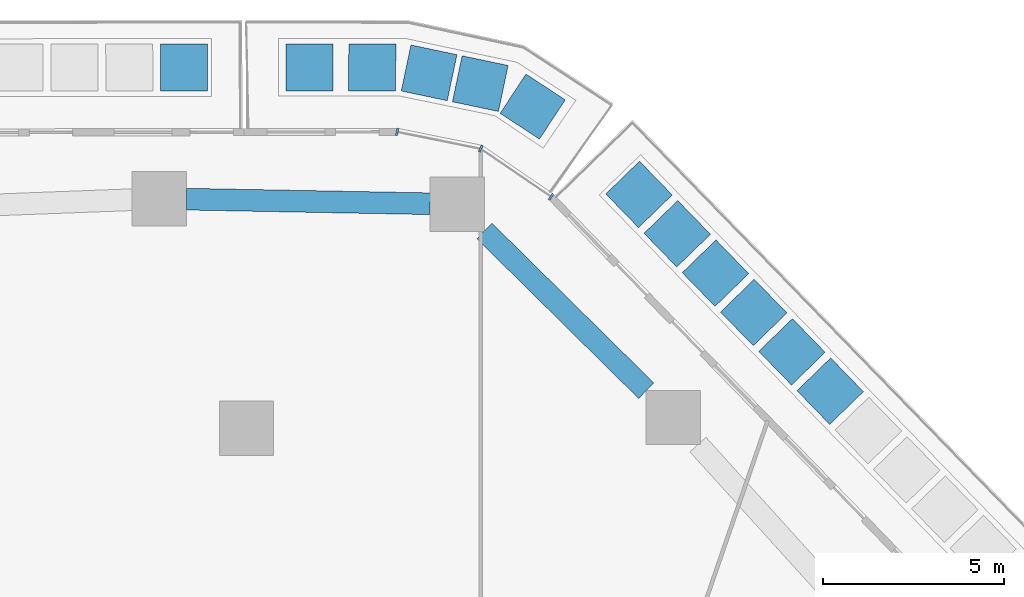
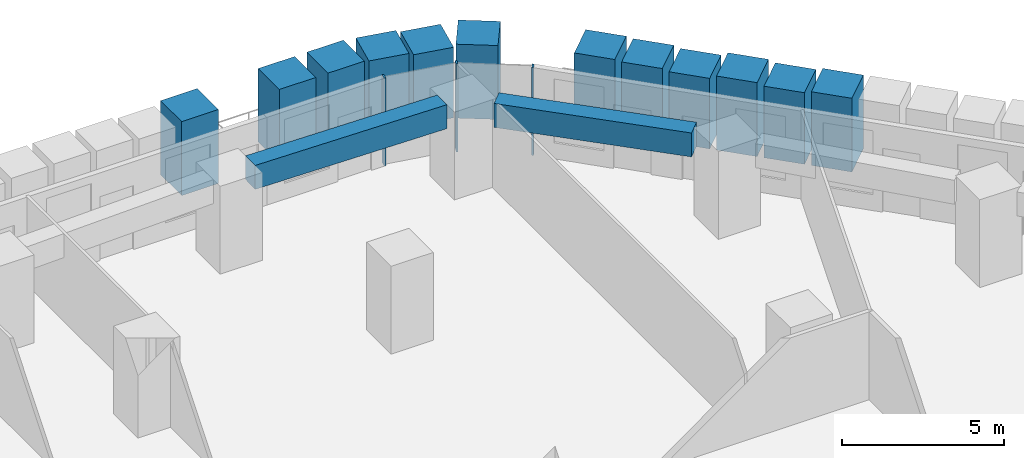
# One storey, part 10 of 26: 15 members, 2 beams, 1 element without a shape of its own.
"""IFC4 building model written with IfcOpenShell, lengths in metres."""

from ifc_helpers import new_model, si_unit, direction, frame, origin, origin_2d, place, context, subcontext, project, spatial, rectangle, extrude, material, layer, layer_set, material_profile, profile_set, type_object, element, aggregate, save


model = new_model("IFC4")

# Units and contexts
model_context = context("Model", 3, precision=1e-05, world=origin(), true_north=direction((0.0, 1.0)))
body_context = subcontext(model_context, "Body", "Model", "MODEL_VIEW")
ifc_project = project(units=[si_unit("LENGTHUNIT", "METRE"), si_unit("AREAUNIT", "SQUARE_METRE"), si_unit("VOLUMEUNIT", "CUBIC_METRE"), si_unit("PLANEANGLEUNIT", "RADIAN"), si_unit("MASSUNIT", "GRAM", prefix="KILO")], contexts=[model_context])

# Site, building, storey
site_placement = place(None, origin())
site = spatial("IfcSite", under=ifc_project, at=site_placement, CompositionType="ELEMENT")
building_placement = place(site_placement, origin())
building = spatial("IfcBuilding", under=site, at=building_placement, Name="Dongbaek Canopy Tower", CompositionType="ELEMENT")
storey_placement = place(building_placement, frame((0.0, 0.0, 69.89990234375)))
storey = spatial("IfcBuildingStorey", under=building, at=storey_placement, Name="L13", CompositionType="ELEMENT", Elevation=69.89990234375)

# Curtain wall, members
ifc_material_1 = material(Name="Aluminium 6063-T6 pale anodised", Category="aluminium")
ifc_layer = layer(ifc_material_1, 0.199951171875)
ifc_layer_set = layer_set([ifc_layer], Name="CW-1 unitised tower curtain wall")
curtain_wall_type = type_object("IfcCurtainWallType", Name="CW-1 unitised tower curtain wall", PredefinedType="NOTDEFINED", material=ifc_layer_set)
curtain_wall_placement = place(storey_placement, origin())
curtain_wall = element("IfcCurtainWall", 1, at=curtain_wall_placement, inside=storey, type_object=curtain_wall_type, Name="CW-1 curtain wall K1.1", PredefinedType="NOTDEFINED")
ifc_material_2 = material(Name="Aluminium 6063-T6 pale anodised", Category="aluminium")
ifc_material_profile_1 = material_profile(ifc_material_2, rectangle(XDim=0.199951171875, YDim=0.06005859375, at=origin_2d()), Name="CW-1 mullion 60 x 200")
ifc_profile_set_1 = profile_set([ifc_material_profile_1], Name="Aluminium 6063-T6 pale anodised")
member_type_1 = type_object("IfcMemberType", Name="CW-1 mullion 60 x 200", PredefinedType="MULLION", material=ifc_profile_set_1)
member_1_placement = place(storey_placement, frame((17.42236328125, 33.400146484375, 0.0), z_axis=(0.0, 0.0, 1.0), x_axis=(0.564195527321, 0.825641209577, 0.0)))
member_1 = element("IfcMember", 2, at=member_1_placement, type_object=member_type_1, Name="CW-1 mullion K1.1.1", PredefinedType="MULLION", context=body_context, shape_type="SweptSolid", body=[
    extrude(rectangle(XDim=0.199951171875, YDim=0.06005859375, at=origin_2d()), origin(), (0.0, 0.0, 1.0), 3.300048828125),
])
member_2_placement = place(storey_placement, frame((15.47607421875, 34.72998046875, 0.0), z_axis=(0.0, 0.0, 1.0), x_axis=(0.388645391083, 0.921387410371, 0.0)))
member_2 = element("IfcMember", 3, at=member_2_placement, type_object=member_type_1, Name="CW-1 mullion K1.1.2", PredefinedType="MULLION", context=body_context, shape_type="SweptSolid", body=[
    extrude(rectangle(XDim=0.199951171875, YDim=0.06005859375, at=origin_2d()), origin(), (0.0, 0.0, 1.0), 3.300048828125),
])
member_3_placement = place(storey_placement, frame((13.16552734375, 35.19580078125, 0.0), z_axis=(0.0, 0.0, 1.0), x_axis=(0.19755519685, 0.980291764832, 0.0)))
member_3 = element("IfcMember", 4, at=member_3_placement, type_object=member_type_1, Name="CW-1 mullion K1.1.3", PredefinedType="MULLION", context=body_context, shape_type="SweptSolid", body=[
    extrude(rectangle(XDim=0.199951171875, YDim=0.06005859375, at=origin_2d()), origin(), (0.0, 0.0, 1.0), 3.300048828125),
])
aggregate(curtain_wall, [member_1, member_2, member_3])

# Beams
ifc_material_3 = material(Name="Concrete C80", Category="concrete")
ifc_material_profile_2 = material_profile(ifc_material_3, rectangle(XDim=0.60009765625, YDim=0.89990234375, at=origin_2d()), Name="RC EDGE BEAM 600x900 C80")
ifc_profile_set_2 = profile_set([ifc_material_profile_2], Name="Concrete C80")
beam_type = type_object("IfcBeamType", Name="RC EDGE BEAM 600x900 C80", PredefinedType="BEAM", material=ifc_profile_set_2)
beam_1_placement = place(storey_placement, frame((7.339111328125, 33.3349609375, 2.85009765625), z_axis=(0.999822704828, -0.018829734762, 0.0), x_axis=(0.018829734762, 0.999822704828, 0.0)))
element("IfcBeam", 5, at=beam_1_placement, inside=storey, type_object=beam_type, Name="EDGEBEAM:L13:16", PredefinedType="BEAM", context=body_context, shape_type="SweptSolid", body=[
    extrude(rectangle(XDim=0.60009765625, YDim=0.89990234375, at=origin_2d()), origin(), (0.0, 0.0, 1.0), 6.7421875),
])
beam_2_placement = place(storey_placement, frame((15.580078125, 32.453857421875, 2.85009765625), z_axis=(0.711712436236, -0.702470930435, 0.0), x_axis=(0.702470930435, 0.711712436236, 0.0)))
element("IfcBeam", 6, at=beam_2_placement, inside=storey, type_object=beam_type, Name="EDGEBEAM:L13:17", PredefinedType="BEAM", context=body_context, shape_type="SweptSolid", body=[
    extrude(rectangle(XDim=0.60009765625, YDim=0.89990234375, at=origin_2d()), origin(), (0.0, 0.0, 1.0), 6.287353515625),
])

# Members
ifc_material_4 = material(Name="Concrete C40/50 planter mass with planting", Category="concrete")
ifc_material_profile_3 = material_profile(ifc_material_4, rectangle(XDim=1.300048828125, YDim=1.300048828125, at=origin_2d()), Name="Terrace PLANTER shrub mass 1300 x 1300")
ifc_profile_set_3 = profile_set([ifc_material_profile_3], Name="Concrete C40/50 planter mass with planting")
member_type_2 = type_object("IfcMemberType", Name="Terrace PLANTER shrub mass 1300 x 1300", PredefinedType="USERDEFINED", material=ifc_profile_set_3)
member_4_placement = place(storey_placement, frame((25.142333984375, 28.02392578125, 0.420166015625), z_axis=(0.0, 0.0, 1.0), x_axis=(0.717186200853, 0.696881592027, 0.0)))
element("IfcMember", 7, at=member_4_placement, inside=storey, type_object=member_type_2, Name="Planter shrubs L13 1.8", ObjectType="PLANTER", PredefinedType="USERDEFINED", context=body_context, shape_type="SweptSolid", body=[
    extrude(rectangle(XDim=1.300048828125, YDim=1.300048828125, at=origin_2d()), origin(), (0.0, 0.0, 1.0), 2.77001953125),
])
member_5_placement = place(storey_placement, frame((24.084716796875, 29.112060546875, 0.420166015625), z_axis=(0.0, 0.0, 1.0), x_axis=(0.717186200853, 0.696881592027, 0.0)))
element("IfcMember", 8, at=member_5_placement, inside=storey, type_object=member_type_2, Name="Planter shrubs L13 1.9", ObjectType="PLANTER", PredefinedType="USERDEFINED", context=body_context, shape_type="SweptSolid", body=[
    extrude(rectangle(XDim=1.300048828125, YDim=1.300048828125, at=origin_2d()), origin(), (0.0, 0.0, 1.0), 2.68994140625),
])
member_6_placement = place(storey_placement, frame((23.02734375, 30.200439453125, 0.420166015625), z_axis=(0.0, 0.0, 1.0), x_axis=(0.717186200853, 0.696881592027, 0.0)))
element("IfcMember", 9, at=member_6_placement, inside=storey, type_object=member_type_2, Name="Planter shrubs L13 1.10", ObjectType="PLANTER", PredefinedType="USERDEFINED", context=body_context, shape_type="SweptSolid", body=[
    extrude(rectangle(XDim=1.300048828125, YDim=1.300048828125, at=origin_2d()), origin(), (0.0, 0.0, 1.0), 2.780029296875),
])
member_7_placement = place(storey_placement, frame((21.969970703125, 31.28857421875, 0.420166015625), z_axis=(0.0, 0.0, 1.0), x_axis=(0.717186200853, 0.696881592027, 0.0)))
element("IfcMember", 10, at=member_7_placement, inside=storey, type_object=member_type_2, Name="Planter shrubs L13 1.11", ObjectType="PLANTER", PredefinedType="USERDEFINED", context=body_context, shape_type="SweptSolid", body=[
    extrude(rectangle(XDim=1.300048828125, YDim=1.300048828125, at=origin_2d()), origin(), (0.0, 0.0, 1.0), 2.64990234375),
])
member_8_placement = place(storey_placement, frame((20.91259765625, 32.376953125, 0.420166015625), z_axis=(0.0, 0.0, 1.0), x_axis=(0.717186200853, 0.696881592027, 0.0)))
element("IfcMember", 11, at=member_8_placement, inside=storey, type_object=member_type_2, Name="Planter shrubs L13 1.12", ObjectType="PLANTER", PredefinedType="USERDEFINED", context=body_context, shape_type="SweptSolid", body=[
    extrude(rectangle(XDim=1.300048828125, YDim=1.300048828125, at=origin_2d()), origin(), (0.0, 0.0, 1.0), 2.72998046875),
])
for number, where, z_axis, x_axis, name in (
    (12, (19.85498046875, 33.465087890625, 0.420166015625), (0.0, 0.0, 1.0), (0.717186200853, 0.696881592027, 0.0), "Planter shrubs L13 1.13"),
    (13, (7.273681640625, 36.977294921875, 0.420166015625), (0.0, 0.0, 1.0), (-0.00143427852, 0.999998971422, 0.0), "Planter shrubs L13 2.1"),
    (14, (16.914306640625, 35.894775390625, 0.420166015625), (0.0, 0.0, 1.0), (0.548368961582, 0.836236498829, 0.0), "Planter shrubs L13 6.1"),
):
    element("IfcMember", number, at=place(storey_placement, frame(where, z_axis=z_axis, x_axis=x_axis)), inside=storey, type_object=member_type_2, Name=name, ObjectType="PLANTER", PredefinedType="USERDEFINED", context=body_context, shape_type="SweptSolid", body=[
        extrude(rectangle(XDim=1.300048828125, YDim=1.300048828125, at=origin_2d()), origin(), (0.0, 0.0, 1.0), 2.780029296875),
    ])
member_9_placement = place(storey_placement, frame((15.46484375, 36.5302734375, 0.420166015625), z_axis=(0.0, 0.0, 1.0), x_axis=(0.206127523953, 0.978525137065, 0.0)))
element("IfcMember", 15, at=member_9_placement, inside=storey, type_object=member_type_2, Name="Planter shrubs L13 6.2", ObjectType="PLANTER", PredefinedType="USERDEFINED", context=body_context, shape_type="SweptSolid", body=[
    extrude(rectangle(XDim=1.300048828125, YDim=1.300048828125, at=origin_2d()), origin(), (0.0, 0.0, 1.0), 2.64990234375),
])
member_10_placement = place(storey_placement, frame((14.049560546875, 36.828369140625, 0.420166015625), z_axis=(0.0, 0.0, 1.0), x_axis=(0.206127523953, 0.978525137065, 0.0)))
element("IfcMember", 16, at=member_10_placement, inside=storey, type_object=member_type_2, Name="Planter shrubs L13 6.3", ObjectType="PLANTER", PredefinedType="USERDEFINED", context=body_context, shape_type="SweptSolid", body=[
    extrude(rectangle(XDim=1.300048828125, YDim=1.300048828125, at=origin_2d()), origin(), (0.0, 0.0, 1.0), 2.72998046875),
])
member_11_placement = place(storey_placement, frame((12.476806640625, 36.978515625, 0.420166015625), z_axis=(0.0, 0.0, 1.0), x_axis=(0.001013072927, 0.999999486841, 0.0)))
element("IfcMember", 17, at=member_11_placement, inside=storey, type_object=member_type_2, Name="Planter shrubs L13 6.4", ObjectType="PLANTER", PredefinedType="USERDEFINED", context=body_context, shape_type="SweptSolid", body=[
    extrude(rectangle(XDim=1.300048828125, YDim=1.300048828125, at=origin_2d()), origin(), (0.0, 0.0, 1.0), 2.780029296875),
])
member_12_placement = place(storey_placement, frame((10.746826171875, 36.980224609375, 0.420166015625), z_axis=(0.0, 0.0, 1.0), x_axis=(0.001013072927, 0.999999486841, 0.0)))
element("IfcMember", 18, at=member_12_placement, inside=storey, type_object=member_type_2, Name="Planter shrubs L13 6.5", ObjectType="PLANTER", PredefinedType="USERDEFINED", context=body_context, shape_type="SweptSolid", body=[
    extrude(rectangle(XDim=1.300048828125, YDim=1.300048828125, at=origin_2d()), origin(), (0.0, 0.0, 1.0), 2.77001953125),
])

save(model, "model.ifc")
